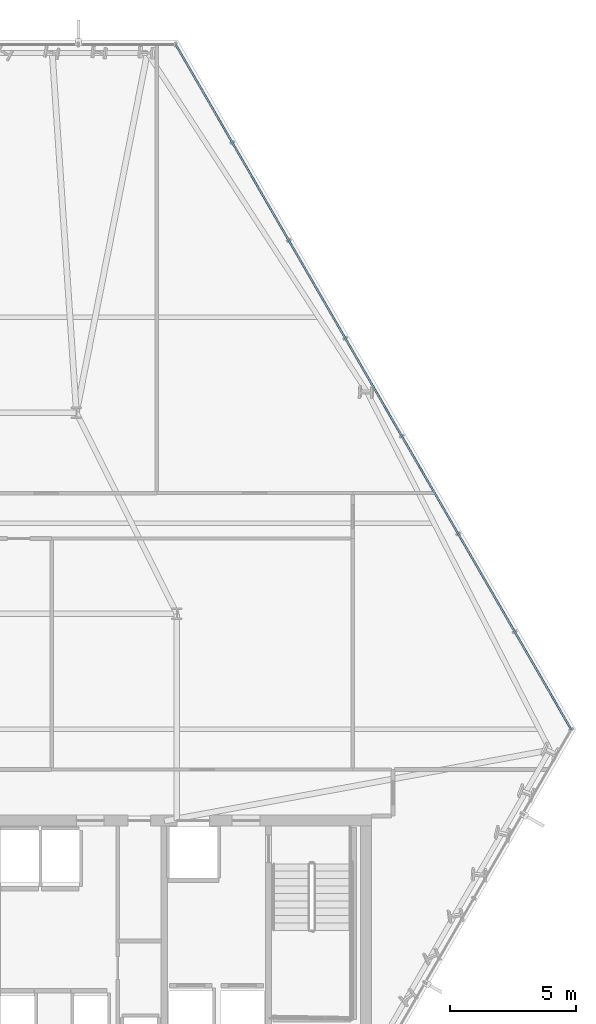
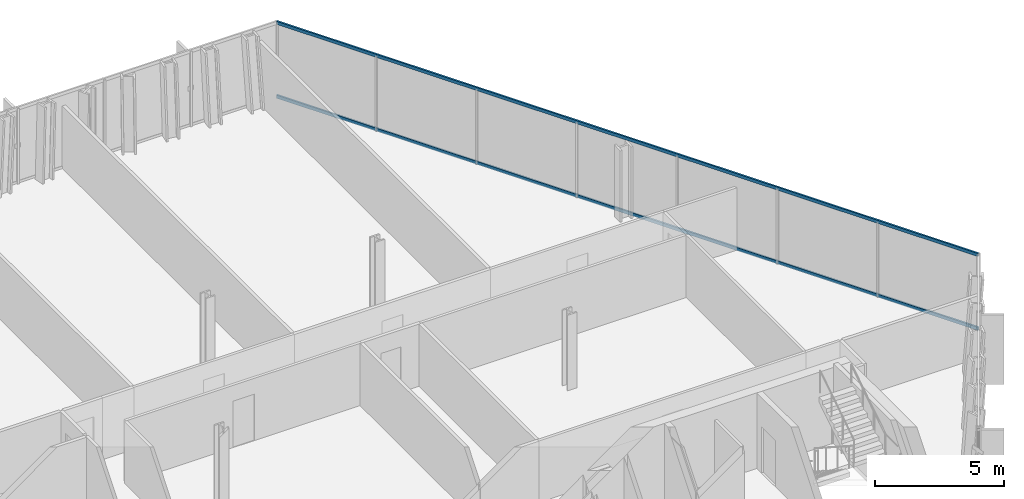
# One storey, part 19 of 32: 2 members, 1 element without a shape of its own.
"""IFC4 building model written with IfcOpenShell, lengths in metres."""

from ifc_helpers import new_model, si_unit, direction, frame, origin, origin_2d, place, context, subcontext, project, spatial, hollow_rectangle, extrude, material, layer, layer_set, material_profile, profile_set, type_object, element, aggregate, save


model = new_model("IFC4")

# Units and contexts
model_context = context("Model", 3, precision=1e-05, world=origin(), true_north=direction((0.0, 1.0)))
body_context = subcontext(model_context, "Body", "Model", "MODEL_VIEW")
ifc_project = project(units=[si_unit("LENGTHUNIT", "METRE"), si_unit("AREAUNIT", "SQUARE_METRE"), si_unit("VOLUMEUNIT", "CUBIC_METRE"), si_unit("PLANEANGLEUNIT", "RADIAN"), si_unit("MASSUNIT", "GRAM", prefix="KILO")], contexts=[model_context])

# Site, building, storey
site_placement = place(None, origin())
site = spatial("IfcSite", under=ifc_project, at=site_placement, CompositionType="ELEMENT")
building_placement = place(site_placement, origin())
building = spatial("IfcBuilding", under=site, at=building_placement, Name="Ndaravel Arena Tower", CompositionType="ELEMENT")
storey_placement = place(building_placement, frame((0.0, 0.0, 66.39990234375)))
storey = spatial("IfcBuildingStorey", under=building, at=storey_placement, Name="L14", CompositionType="ELEMENT", Elevation=66.39990234375)

# Curtain wall, members
ifc_material_1 = material(Name="Aluminium", Category="aluminium")
ifc_layer = layer(ifc_material_1, 0.179931640625)
ifc_layer_set = layer_set([ifc_layer], Name="Aluminium")
curtain_wall_type = type_object("IfcCurtainWallType", Name="CW-SYS-03", PredefinedType="NOTDEFINED", material=ifc_layer_set)
curtain_wall_placement = place(storey_placement, origin())
curtain_wall = element("IfcCurtainWall", 1, at=curtain_wall_placement, inside=storey, type_object=curtain_wall_type, Name="L14 Faceted Crystal Curtain Wall CW-L14-E03", PredefinedType="NOTDEFINED")
ifc_material_2 = material(Name="Aluminium", Category="aluminium")
ifc_material_profile = material_profile(ifc_material_2, hollow_rectangle(XDim=0.074951171875, YDim=0.14990234375, WallThickness=0.00390625, at=origin_2d()), Name="CW TRANSOM 75x150x4")
ifc_profile_set = profile_set([ifc_material_profile], Name="Aluminium")
member_type = type_object("IfcMemberType", Name="MEM-CW-TRN150", PredefinedType="USERDEFINED", material=ifc_profile_set)
member_1_placement = place(storey_placement, frame((65.4912109375, 18.593994140625, 0.0400390625), z_axis=(-0.500001365865, 0.8660246152, 0.0), x_axis=(-0.8660246152, -0.500001365865, 0.0)))
member_1 = element("IfcMember", 2, at=member_1_placement, type_object=member_type, Name="CW-L14-E03 Transom 01", ObjectType="TRANSOM", PredefinedType="USERDEFINED", context=body_context, shape_type="SweptSolid", body=[
    extrude(hollow_rectangle(XDim=0.074951171875, YDim=0.14990234375, WallThickness=0.00390625, at=origin_2d()), origin(), (0.0, 0.0, 1.0), 31.47021484375),
])
member_2_placement = place(storey_placement, frame((65.4912109375, 18.593994140625, 3.5400390625), z_axis=(-0.500001365865, 0.8660246152, 0.0), x_axis=(-0.8660246152, -0.500001365865, 0.0)))
member_2 = element("IfcMember", 3, at=member_2_placement, type_object=member_type, Name="CW-L14-E03 Transom 02", ObjectType="TRANSOM", PredefinedType="USERDEFINED", context=body_context, shape_type="SweptSolid", body=[
    extrude(hollow_rectangle(XDim=0.074951171875, YDim=0.14990234375, WallThickness=0.00390625, at=origin_2d()), origin(), (0.0, 0.0, 1.0), 31.47021484375),
])
aggregate(curtain_wall, [member_1, member_2])

save(model, "model.ifc")
